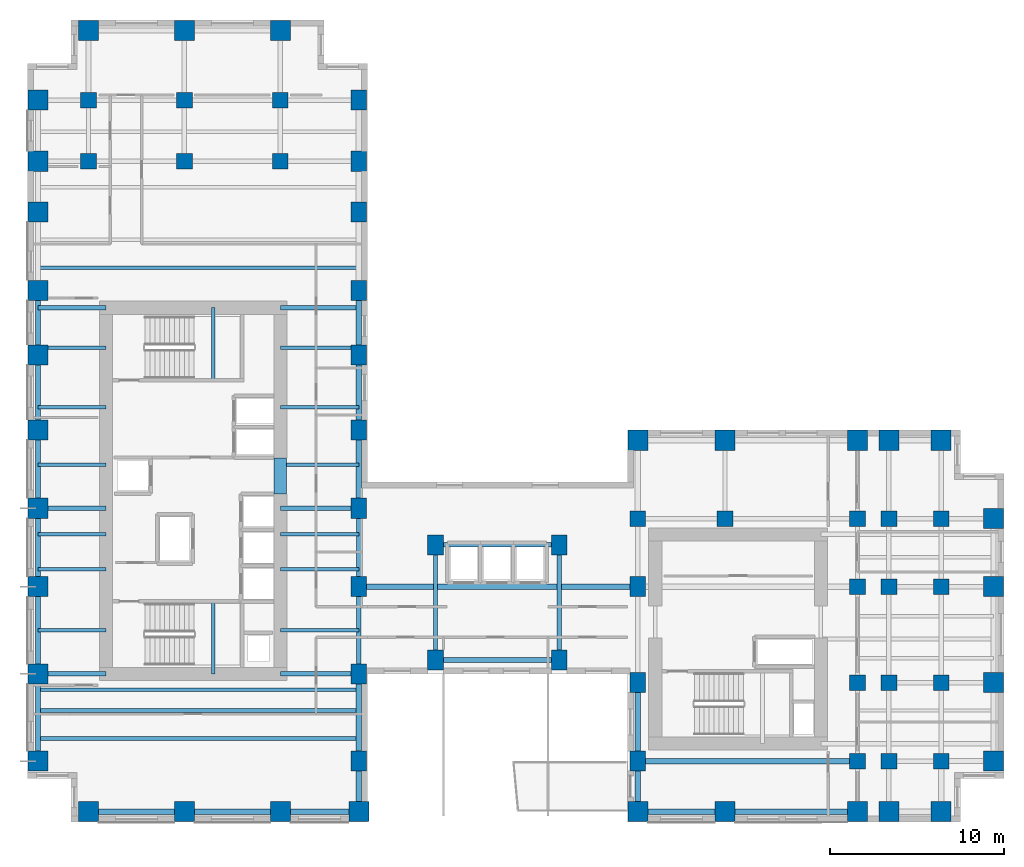
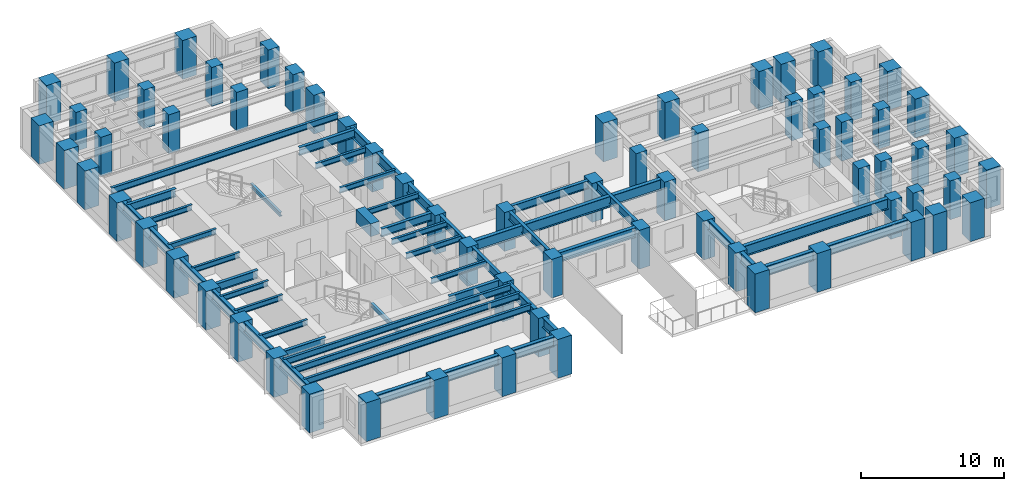
# One storey, part 1 of 12: 68 columns, 51 beams.
"""IFC4 building model written with IfcOpenShell, lengths in metres."""

from ifc_helpers import new_model, si_unit, direction, frame, origin, origin_2d, place, context, subcontext, project, spatial, rectangle, i_section, extrude, source, transform, mapped, material, material_profile, profile_set, type_object, element, save


model = new_model("IFC4")

# Units and contexts
model_context = context("Model", 3, precision=1e-05, world=origin(), true_north=direction((0.0, 1.0)))
body_context = subcontext(model_context, "Body", "Model", "MODEL_VIEW")
ifc_project = project(units=[si_unit("LENGTHUNIT", "METRE"), si_unit("AREAUNIT", "SQUARE_METRE"), si_unit("VOLUMEUNIT", "CUBIC_METRE"), si_unit("PLANEANGLEUNIT", "RADIAN"), si_unit("MASSUNIT", "GRAM", prefix="KILO")], contexts=[model_context])

# Site, building, storey
site_placement = place(None, origin())
site = spatial("IfcSite", under=ifc_project, at=site_placement, CompositionType="ELEMENT")
building_placement = place(site_placement, origin())
building = spatial("IfcBuilding", under=site, at=building_placement, Name="Kharzan Plaza Tower", CompositionType="ELEMENT")
storey_placement = place(building_placement, frame((0.0, 0.0, 135.0)))
storey = spatial("IfcBuildingStorey", under=building, at=storey_placement, Name="L36", CompositionType="ELEMENT", Elevation=135.0)

# Columns
ifc_material_1 = material(Name="Concrete C50/60", Category="concrete")
ifc_material_profile_1 = material_profile(ifc_material_1, rectangle(XDim=0.89990234375, YDim=0.89990234375, at=origin_2d()), Name="RC-IC900x900")
ifc_profile_set_1 = profile_set([ifc_material_profile_1], Name="Concrete C50/60")
column_type_1 = type_object("IfcColumnType", Name="COL-IC900", PredefinedType="COLUMN", material=ifc_profile_set_1)
shared_shape_1 = source(origin(), body_context, "Body", "SweptSolid", [
    extrude(rectangle(XDim=0.89990234375, YDim=0.89990234375, at=origin_2d()), origin(), (0.0, 0.0, 1.0), 3.320068359375),
])
for number, where, z_axis, x_axis, name in (
    (1, (47.60009765625, 13.5, 0.0), (0.0, 0.0, 1.0), (1.0, 0.0, 0.0), "L36 Structural Column TCBI-135"),
    (2, (47.60009765625, 3.5, 0.0), (0.0, 0.0, 1.0), (1.0, 0.0, 0.0), "L36 Structural Column TCBI-35"),
    (3, (47.60009765625, 8.0, 0.0), (0.0, 0.0, 1.0), (1.0, 0.0, 0.0), "L36 Structural Column TCBI-80"),
    (4, (35.0, 17.39990234375, 0.0), (0.0, 0.0, 1.0), (1.0, 0.0, 0.0), "L36 Structural Column TCBN-350-174"),
    (5, (40.0, 17.39990234375, 0.0), (0.0, 0.0, 1.0), (1.0, 0.0, 0.0), "L36 Structural Column TCBN-400-174"),
    (6, (47.60009765625, 17.39990234375, 0.0), (0.0, 0.0, 1.0), (1.0, 0.0, 0.0), "L36 Structural Column TCBN-476-174"),
    (7, (49.39990234375, 13.5, 0.0), (0.0, 0.0, 1.0), (1.0, 0.0, 0.0), "L36 Structural Column TCE-494-135"),
    (8, (49.39990234375, 17.39990234375, 0.0), (0.0, 0.0, 1.0), (1.0, 0.0, 0.0), "L36 Structural Column TCE-494-174"),
    (9, (49.39990234375, 3.5, 0.0), (0.0, 0.0, 1.0), (1.0, 0.0, 0.0), "L36 Structural Column TCE-494-35"),
    (10, (49.39990234375, 8.0, 0.0), (0.0, 0.0, 1.0), (1.0, 0.0, 0.0), "L36 Structural Column TCE-494-80"),
    (11, (52.39990234375, 13.5, 0.0), (0.0, 0.0, 1.0), (1.0, 0.0, 0.0), "L36 Structural Column TCE-524-135"),
    (12, (52.39990234375, 17.39990234375, 0.0), (0.0, 0.0, 1.0), (1.0, 0.0, 0.0), "L36 Structural Column TCE-524-174"),
    (13, (52.39990234375, 3.5, 0.0), (0.0, 0.0, 1.0), (1.0, 0.0, 0.0), "L36 Structural Column TCE-524-35"),
    (14, (52.39990234375, 8.0, 0.0), (0.0, 0.0, 1.0), (1.0, 0.0, 0.0), "L36 Structural Column TCE-524-80"),
    (15, (14.5, 37.89990234375, 0.0), (0.0, 0.0, 1.0), (1.0, 0.0, 0.0), "L36 Structural Column TCN-145-379"),
    (16, (14.5, 41.39990234375, 0.0), (0.0, 0.0, 1.0), (1.0, 0.0, 0.0), "L36 Structural Column TCN-145-414"),
    (17, (3.5, 37.89990234375, 0.0), (0.0, 0.0, 1.0), (1.0, 0.0, 0.0), "L36 Structural Column TCN-35-379"),
    (18, (3.5, 41.39990234375, 0.0), (0.0, 0.0, 1.0), (1.0, 0.0, 0.0), "L36 Structural Column TCN-35-414"),
    (19, (9.0, 37.89990234375, 0.0), (0.0, 0.0, 1.0), (1.0, 0.0, 0.0), "L36 Structural Column TCN-90-379"),
    (20, (9.0, 41.39990234375, 0.0), (0.0, 0.0, 1.0), (1.0, 0.0, 0.0), "L36 Structural Column TCN-90-414"),
):
    element("IfcColumn", number, at=place(storey_placement, frame(where, z_axis=z_axis, x_axis=x_axis)), inside=storey, type_object=column_type_1, Name=name, PredefinedType="COLUMN", context=body_context, shape_type="MappedRepresentation", body=[
        mapped(shared_shape_1, transform((0.0, 0.0, 0.0), x_axis=(1.0, 0.0, 0.0), y_axis=(0.0, 1.0, 0.0), z_axis=(0.0, 0.0, 1.0))),
    ])
ifc_material_2 = material(Name="Concrete C60/75", Category="concrete")
ifc_material_profile_2 = material_profile(ifc_material_2, rectangle(XDim=0.89990234375, YDim=1.14990234375, at=origin_2d()), Name="RC-SC1150x900")
ifc_profile_set_2 = profile_set([ifc_material_profile_2], Name="Concrete C60/75")
column_type_2 = type_object("IfcColumnType", Name="COL-SC1150", PredefinedType="COLUMN", material=ifc_profile_set_2)
shared_shape_2 = source(origin(), body_context, "Body", "SweptSolid", [
    extrude(rectangle(XDim=0.89990234375, YDim=1.14990234375, at=origin_2d()), origin(), (0.0, 0.0, 1.0), 3.320068359375),
])
for number, where, z_axis, x_axis, name in (
    (21, (19.0, 13.5, 0.0), (0.0, 0.0, 1.0), (1.0, 0.0, 0.0), "L36 Structural Column TCA-135"),
    (22, (19.0, 18.0, 0.0), (0.0, 0.0, 1.0), (1.0, 0.0, 0.0), "L36 Structural Column TCA-180"),
    (23, (19.0, 22.5, 0.0), (0.0, 0.0, 1.0), (1.0, 0.0, 0.0), "L36 Structural Column TCA-225"),
    (24, (19.0, 26.800048828125, 0.0), (0.0, 0.0, 1.0), (1.0, 0.0, 0.0), "L36 Structural Column TCA-268"),
    (25, (19.0, 30.5, 0.0), (0.0, 0.0, 1.0), (1.0, 0.0, 0.0), "L36 Structural Column TCA-305"),
    (26, (19.0, 3.5, 0.0), (0.0, 0.0, 1.0), (1.0, 0.0, 0.0), "L36 Structural Column TCA-35"),
    (27, (19.0, 35.0, 0.0), (0.0, 0.0, 1.0), (1.0, 0.0, 0.0), "L36 Structural Column TCA-350"),
    (28, (19.0, 37.89990234375, 0.0), (0.0, 0.0, 1.0), (1.0, 0.0, 0.0), "L36 Structural Column TCA-379"),
    (29, (19.0, 41.39990234375, 0.0), (0.0, 0.0, 1.0), (1.0, 0.0, 0.0), "L36 Structural Column TCA-414"),
    (30, (19.0, 8.5, 0.0), (0.0, 0.0, 1.0), (1.0, 0.0, 0.0), "L36 Structural Column TCA-85"),
    (31, (35.0, 13.5, 0.0), (0.0, 0.0, 1.0), (1.0, 0.0, 0.0), "L36 Structural Column TCBS-135"),
    (32, (35.0, 3.5, 0.0), (0.0, 0.0, 1.0), (1.0, 0.0, 0.0), "L36 Structural Column TCBS-35"),
    (33, (35.0, 8.0, 0.0), (0.0, 0.0, 1.0), (1.0, 0.0, 0.0), "L36 Structural Column TCBS-80"),
    (34, (23.39990234375, 15.89990234375, 0.0), (0.0, 0.0, 1.0), (1.0, 0.0, 0.0), "L36 Structural Column TCSP-234-159"),
    (35, (23.39990234375, 9.300048828125, 0.0), (0.0, 0.0, 1.0), (1.0, 0.0, 0.0), "L36 Structural Column TCSP-234-93"),
    (36, (30.5, 15.89990234375, 0.0), (0.0, 0.0, 1.0), (1.0, 0.0, 0.0), "L36 Structural Column TCSP-305-159"),
    (37, (30.5, 9.300048828125, 0.0), (0.0, 0.0, 1.0), (1.0, 0.0, 0.0), "L36 Structural Column TCSP-305-93"),
):
    element("IfcColumn", number, at=place(storey_placement, frame(where, z_axis=z_axis, x_axis=x_axis)), inside=storey, type_object=column_type_2, Name=name, PredefinedType="COLUMN", context=body_context, shape_type="MappedRepresentation", body=[
        mapped(shared_shape_2, transform((0.0, 0.0, 0.0), x_axis=(1.0, 0.0, 0.0), y_axis=(0.0, 1.0, 0.0), z_axis=(0.0, 0.0, 1.0))),
    ])
ifc_material_profile_3 = material_profile(ifc_material_2, rectangle(XDim=1.14990234375, YDim=1.14990234375, at=origin_2d()), Name="RC-TC1150x1150")
ifc_profile_set_3 = profile_set([ifc_material_profile_3], Name="Concrete C60/75")
column_type_3 = type_object("IfcColumnType", Name="COL-TC1150", PredefinedType="COLUMN", material=ifc_profile_set_3)
shared_shape_3 = source(origin(), body_context, "Body", "SweptSolid", [
    extrude(rectangle(XDim=1.14990234375, YDim=1.14990234375, at=origin_2d()), origin(), (0.0, 0.0, 1.0), 3.320068359375),
])
for number, where, z_axis, x_axis, name in (
    (38, (35.0, 21.89990234375, 0.0), (0.0, 0.0, 1.0), (1.0, 0.0, 0.0), "L36 Structural Column TCBN-350-219"),
    (39, (40.0, 21.89990234375, 0.0), (0.0, 0.0, 1.0), (1.0, 0.0, 0.0), "L36 Structural Column TCBN-400-219"),
    (40, (47.60009765625, 21.89990234375, 0.0), (0.0, 0.0, 1.0), (1.0, 0.0, 0.0), "L36 Structural Column TCBN-476-219"),
    (41, (49.39990234375, 21.89990234375, 0.0), (0.0, 0.0, 1.0), (1.0, 0.0, 0.0), "L36 Structural Column TCBN-494-219"),
    (42, (52.39990234375, 21.89990234375, 0.0), (0.0, 0.0, 1.0), (1.0, 0.0, 0.0), "L36 Structural Column TCBN-524-219"),
    (43, (55.39990234375, 13.5, 0.0), (0.0, 0.0, 1.0), (1.0, 0.0, 0.0), "L36 Structural Column TCE-554-135"),
    (44, (55.39990234375, 17.39990234375, 0.0), (0.0, 0.0, 1.0), (1.0, 0.0, 0.0), "L36 Structural Column TCE-554-174"),
    (45, (55.39990234375, 3.5, 0.0), (0.0, 0.0, 1.0), (1.0, 0.0, 0.0), "L36 Structural Column TCE-554-35"),
    (46, (55.39990234375, 8.0, 0.0), (0.0, 0.0, 1.0), (1.0, 0.0, 0.0), "L36 Structural Column TCE-554-80"),
    (47, (14.5, 45.39990234375, 0.0), (0.0, 0.0, 1.0), (1.0, 0.0, 0.0), "L36 Structural Column TCN-145-454"),
    (48, (3.5, 45.39990234375, 0.0), (0.0, 0.0, 1.0), (1.0, 0.0, 0.0), "L36 Structural Column TCN-35-454"),
    (49, (9.0, 45.39990234375, 0.0), (0.0, 0.0, 1.0), (1.0, 0.0, 0.0), "L36 Structural Column TCN-90-454"),
    (50, (14.5, 0.60009765625, 0.0), (0.0, 0.0, 1.0), (1.0, 0.0, 0.0), "L36 Structural Column TCS-145"),
    (51, (19.0, 0.60009765625, 0.0), (0.0, 0.0, 1.0), (1.0, 0.0, 0.0), "L36 Structural Column TCS-190"),
    (52, (3.5, 0.60009765625, 0.0), (0.0, 0.0, 1.0), (1.0, 0.0, 0.0), "L36 Structural Column TCS-35"),
    (53, (35.0, 0.60009765625, 0.0), (0.0, 0.0, 1.0), (1.0, 0.0, 0.0), "L36 Structural Column TCS-350"),
    (54, (40.0, 0.60009765625, 0.0), (0.0, 0.0, 1.0), (1.0, 0.0, 0.0), "L36 Structural Column TCS-400"),
    (55, (47.60009765625, 0.60009765625, 0.0), (0.0, 0.0, 1.0), (1.0, 0.0, 0.0), "L36 Structural Column TCS-476"),
    (56, (49.39990234375, 0.60009765625, 0.0), (0.0, 0.0, 1.0), (1.0, 0.0, 0.0), "L36 Structural Column TCS-494"),
    (57, (52.39990234375, 0.60009765625, 0.0), (0.0, 0.0, 1.0), (1.0, 0.0, 0.0), "L36 Structural Column TCS-524"),
    (58, (9.0, 0.60009765625, 0.0), (0.0, 0.0, 1.0), (1.0, 0.0, 0.0), "L36 Structural Column TCS-90"),
    (59, (0.60009765625, 13.5, 0.0), (0.0, 0.0, 1.0), (1.0, 0.0, 0.0), "L36 Structural Column TCW-135"),
    (60, (0.60009765625, 18.0, 0.0), (0.0, 0.0, 1.0), (1.0, 0.0, 0.0), "L36 Structural Column TCW-180"),
    (61, (0.60009765625, 22.5, 0.0), (0.0, 0.0, 1.0), (1.0, 0.0, 0.0), "L36 Structural Column TCW-225"),
    (62, (0.60009765625, 26.800048828125, 0.0), (0.0, 0.0, 1.0), (1.0, 0.0, 0.0), "L36 Structural Column TCW-268"),
    (63, (0.60009765625, 30.5, 0.0), (0.0, 0.0, 1.0), (1.0, 0.0, 0.0), "L36 Structural Column TCW-305"),
    (64, (0.60009765625, 3.5, 0.0), (0.0, 0.0, 1.0), (1.0, 0.0, 0.0), "L36 Structural Column TCW-35"),
    (65, (0.60009765625, 35.0, 0.0), (0.0, 0.0, 1.0), (1.0, 0.0, 0.0), "L36 Structural Column TCW-350"),
    (66, (0.60009765625, 37.89990234375, 0.0), (0.0, 0.0, 1.0), (1.0, 0.0, 0.0), "L36 Structural Column TCW-379"),
    (67, (0.60009765625, 41.39990234375, 0.0), (0.0, 0.0, 1.0), (1.0, 0.0, 0.0), "L36 Structural Column TCW-414"),
    (68, (0.60009765625, 8.5, 0.0), (0.0, 0.0, 1.0), (1.0, 0.0, 0.0), "L36 Structural Column TCW-85"),
):
    element("IfcColumn", number, at=place(storey_placement, frame(where, z_axis=z_axis, x_axis=x_axis)), inside=storey, type_object=column_type_3, Name=name, PredefinedType="COLUMN", context=body_context, shape_type="MappedRepresentation", body=[
        mapped(shared_shape_3, transform((0.0, 0.0, 0.0), x_axis=(1.0, 0.0, 0.0), y_axis=(0.0, 1.0, 0.0), z_axis=(0.0, 0.0, 1.0))),
    ])

# Beams
ifc_material_profile_4 = material_profile(ifc_material_2, rectangle(XDim=0.699951171875, YDim=1.10009765625, at=origin_2d()), Name="RC-CB1100x700")
ifc_profile_set_4 = profile_set([ifc_material_profile_4], Name="Concrete C60/75")
beam_type_1 = type_object("IfcBeamType", Name="BM-RCCB1100", PredefinedType="LINTEL", material=ifc_profile_set_4)
shared_shape_4 = source(origin(), body_context, "Body", "SweptSolid", [
    extrude(rectangle(XDim=0.699951171875, YDim=1.10009765625, at=origin_2d()), origin(), (0.0, 0.0, 1.0), 2.059814453125),
])
beam_1_placement = place(storey_placement, frame((14.5, 18.820068359375, 2.77001953125), z_axis=(0.0, 1.0, 0.0), x_axis=(-1.0, 0.0, 0.0)))
element("IfcBeam", 69, at=beam_1_placement, inside=storey, type_object=beam_type_1, Name="L36 CORE-A RC coupling beam CB1", PredefinedType="LINTEL", context=body_context, shape_type="MappedRepresentation", body=[
    mapped(shared_shape_4, transform((0.0, 0.0, 0.0), x_axis=(1.0, 0.0, 0.0), y_axis=(0.0, 1.0, 0.0), z_axis=(0.0, 0.0, 1.0))),
])
ifc_material_3 = material(Name="Steel S355", Category="steel")
ifc_material_profile_5 = material_profile(ifc_material_3, i_section(OverallWidth=0.205078125, OverallDepth=0.35400390625, WebThickness=0.009521484375, FlangeThickness=0.016845703125, at=origin_2d()), Name="W360x79")
ifc_profile_set_5 = profile_set([ifc_material_profile_5], Name="Steel S355")
beam_type_2 = type_object("IfcBeamType", Name="BM-LNT360", PredefinedType="LINTEL", material=ifc_profile_set_5)
shared_shape_5 = source(origin(), body_context, "Body", "SweptSolid", [
    extrude(i_section(OverallWidth=0.205078125, OverallDepth=0.35400390625, WebThickness=0.009521484375, FlangeThickness=0.016845703125, at=origin_2d()), origin(), (0.0, 0.0, 1.0), 4.155029296875),
])
for number, where, z_axis, x_axis, name in (
    (70, (10.64990234375, 8.5, 1.423095703125), (0.0, 1.0, 0.0), (-1.0, 0.0, 0.0), "L36 Stair ST-1 Half-Landing Beam"),
    (71, (10.64990234375, 25.344970703125, 1.423095703125), (0.0, 1.0, 0.0), (-1.0, 0.0, 0.0), "L36 Stair ST-2 Half-Landing Beam"),
):
    element("IfcBeam", number, at=place(storey_placement, frame(where, z_axis=z_axis, x_axis=x_axis)), inside=storey, type_object=beam_type_2, Name=name, PredefinedType="LINTEL", context=body_context, shape_type="MappedRepresentation", body=[
        mapped(shared_shape_5, transform((0.0, 0.0, 0.0), x_axis=(1.0, 0.0, 0.0), y_axis=(0.0, 1.0, 0.0), z_axis=(0.0, 0.0, 1.0))),
    ])
ifc_material_profile_6 = material_profile(ifc_material_3, i_section(OverallWidth=0.304931640625, OverallDepth=0.9189453125, WebThickness=0.017333984375, FlangeThickness=0.02783203125, at=origin_2d()), Name="W920x253")
ifc_profile_set_6 = profile_set([ifc_material_profile_6], Name="Steel S355")
beam_type_3 = type_object("IfcBeamType", Name="BM-FG920B", PredefinedType="BEAM", material=ifc_profile_set_6)
shared_shape_6 = source(origin(), body_context, "Body", "SweptSolid", [
    extrude(i_section(OverallWidth=0.304931640625, OverallDepth=0.9189453125, WebThickness=0.017333984375, FlangeThickness=0.02783203125, at=origin_2d()), origin(), (0.0, 0.0, 1.0), 12.60009765625),
])
beam_2_placement = place(storey_placement, frame((35.0, 3.5, 2.860595703125), z_axis=(1.0, 0.0, 0.0), x_axis=(0.0, 1.0, 0.0)))
element("IfcBeam", 72, at=beam_2_placement, inside=storey, type_object=beam_type_3, Name="L36 Primary Floor Girder", PredefinedType="BEAM", context=body_context, shape_type="MappedRepresentation", body=[
    mapped(shared_shape_6, transform((0.0, 0.0, 0.0), x_axis=(1.0, 0.0, 0.0), y_axis=(0.0, 1.0, 0.0), z_axis=(0.0, 0.0, 1.0))),
])
shared_shape_7 = source(origin(), body_context, "Body", "SweptSolid", [
    extrude(i_section(OverallWidth=0.304931640625, OverallDepth=0.9189453125, WebThickness=0.017333984375, FlangeThickness=0.02783203125, at=origin_2d()), origin(), (0.0, 0.0, 1.0), 16.0),
])
beam_3_placement = place(storey_placement, frame((19.0, 13.5, 2.860595703125), z_axis=(1.0, 0.0, 0.0), x_axis=(0.0, 1.0, 0.0)))
element("IfcBeam", 73, at=beam_3_placement, inside=storey, type_object=beam_type_3, Name="L36 Primary Floor Girder", PredefinedType="BEAM", context=body_context, shape_type="MappedRepresentation", body=[
    mapped(shared_shape_7, transform((0.0, 0.0, 0.0), x_axis=(1.0, 0.0, 0.0), y_axis=(0.0, 1.0, 0.0), z_axis=(0.0, 0.0, 1.0))),
])
ifc_material_profile_7 = material_profile(ifc_material_3, i_section(OverallWidth=0.2099609375, OverallDepth=0.537109375, WebThickness=0.010986328125, FlangeThickness=0.017333984375, at=origin_2d()), Name="W530x101")
ifc_profile_set_7 = profile_set([ifc_material_profile_7], Name="Steel S355")
beam_type_4 = type_object("IfcBeamType", Name="BM-JST530B", PredefinedType="JOIST", material=ifc_profile_set_7)
shared_shape_8 = source(origin(), body_context, "Body", "SweptSolid", [
    extrude(i_section(OverallWidth=0.2099609375, OverallDepth=0.537109375, WebThickness=0.010986328125, FlangeThickness=0.017333984375, at=origin_2d()), origin(), (0.0, 0.0, 1.0), 18.39990234375),
])
for number, where, z_axis, x_axis, name in (
    (74, (0.60009765625, 4.800048828125, 3.051513671875), (1.0, 0.0, 0.0), (0.0, 1.0, 0.0), "L36 Wing A Composite Joist 01"),
    (75, (0.60009765625, 6.39990234375, 3.051513671875), (1.0, 0.0, 0.0), (0.0, 1.0, 0.0), "L36 Wing A Composite Joist 02"),
    (76, (0.60009765625, 7.60009765625, 3.051513671875), (1.0, 0.0, 0.0), (0.0, 1.0, 0.0), "L36 Wing A Composite Joist 03"),
    (77, (0.60009765625, 31.800048828125, 3.051513671875), (1.0, 0.0, 0.0), (0.0, 1.0, 0.0), "L36 Wing A Composite Joist 04"),
):
    element("IfcBeam", number, at=place(storey_placement, frame(where, z_axis=z_axis, x_axis=x_axis)), inside=storey, type_object=beam_type_4, Name=name, PredefinedType="JOIST", context=body_context, shape_type="MappedRepresentation", body=[
        mapped(shared_shape_8, transform((0.0, 0.0, 0.0), x_axis=(1.0, 0.0, 0.0), y_axis=(0.0, 1.0, 0.0), z_axis=(0.0, 0.0, 1.0))),
    ])
ifc_material_profile_8 = material_profile(ifc_material_3, i_section(OverallWidth=0.194091796875, OverallDepth=0.468994140625, WebThickness=0.011474609375, FlangeThickness=0.0205078125, at=origin_2d()), Name="W460x106")
ifc_profile_set_8 = profile_set([ifc_material_profile_8], Name="Steel S355")
beam_type_5 = type_object("IfcBeamType", Name="BM-JST460", PredefinedType="JOIST", material=ifc_profile_set_8)
shared_shape_9 = source(origin(), body_context, "Body", "SweptSolid", [
    extrude(i_section(OverallWidth=0.194091796875, OverallDepth=0.468994140625, WebThickness=0.011474609375, FlangeThickness=0.0205078125, at=origin_2d()), origin(), (0.0, 0.0, 1.0), 4.5),
])
for number, where, z_axis, x_axis, name in (
    (78, (14.5, 11.0, 3.08544921875), (1.0, 0.0, 0.0), (0.0, 1.0, 0.0), "L36 Wing A East Infill Joist 1"),
    (79, (14.5, 14.5, 3.08544921875), (1.0, 0.0, 0.0), (0.0, 1.0, 0.0), "L36 Wing A East Infill Joist 2"),
    (80, (14.5, 16.5, 3.08544921875), (1.0, 0.0, 0.0), (0.0, 1.0, 0.0), "L36 Wing A East Infill Joist 3"),
    (81, (14.5, 20.5, 3.08544921875), (1.0, 0.0, 0.0), (0.0, 1.0, 0.0), "L36 Wing A East Infill Joist 4"),
    (82, (14.5, 23.800048828125, 3.08544921875), (1.0, 0.0, 0.0), (0.0, 1.0, 0.0), "L36 Wing A East Infill Joist 5"),
    (83, (14.5, 27.199951171875, 3.08544921875), (1.0, 0.0, 0.0), (0.0, 1.0, 0.0), "L36 Wing A East Infill Joist 6"),
):
    element("IfcBeam", number, at=place(storey_placement, frame(where, z_axis=z_axis, x_axis=x_axis)), inside=storey, type_object=beam_type_5, Name=name, PredefinedType="JOIST", context=body_context, shape_type="MappedRepresentation", body=[
        mapped(shared_shape_9, transform((0.0, 0.0, 0.0), x_axis=(1.0, 0.0, 0.0), y_axis=(0.0, 1.0, 0.0), z_axis=(0.0, 0.0, 1.0))),
    ])
shared_shape_10 = source(origin(), body_context, "Body", "SweptSolid", [
    extrude(i_section(OverallWidth=0.194091796875, OverallDepth=0.468994140625, WebThickness=0.011474609375, FlangeThickness=0.0205078125, at=origin_2d()), origin(), (0.0, 0.0, 1.0), 3.89990234375),
])
for number, where, z_axis, x_axis, name in (
    (84, (0.60009765625, 11.0, 3.08544921875), (1.0, 0.0, 0.0), (0.0, 1.0, 0.0), "L36 Wing A West Infill Joist 1"),
    (85, (0.60009765625, 14.5, 3.08544921875), (1.0, 0.0, 0.0), (0.0, 1.0, 0.0), "L36 Wing A West Infill Joist 2"),
    (86, (0.60009765625, 16.5, 3.08544921875), (1.0, 0.0, 0.0), (0.0, 1.0, 0.0), "L36 Wing A West Infill Joist 3"),
    (87, (0.60009765625, 20.5, 3.08544921875), (1.0, 0.0, 0.0), (0.0, 1.0, 0.0), "L36 Wing A West Infill Joist 4"),
    (88, (0.60009765625, 23.800048828125, 3.08544921875), (1.0, 0.0, 0.0), (0.0, 1.0, 0.0), "L36 Wing A West Infill Joist 5"),
    (89, (0.60009765625, 27.199951171875, 3.08544921875), (1.0, 0.0, 0.0), (0.0, 1.0, 0.0), "L36 Wing A West Infill Joist 6"),
):
    element("IfcBeam", number, at=place(storey_placement, frame(where, z_axis=z_axis, x_axis=x_axis)), inside=storey, type_object=beam_type_5, Name=name, PredefinedType="JOIST", context=body_context, shape_type="MappedRepresentation", body=[
        mapped(shared_shape_10, transform((0.0, 0.0, 0.0), x_axis=(1.0, 0.0, 0.0), y_axis=(0.0, 1.0, 0.0), z_axis=(0.0, 0.0, 1.0))),
    ])
ifc_material_profile_9 = material_profile(ifc_material_3, i_section(OverallWidth=0.25390625, OverallDepth=0.68798828125, WebThickness=0.01318359375, FlangeThickness=0.02099609375, at=origin_2d()), Name="W690x152")
ifc_profile_set_9 = profile_set([ifc_material_profile_9], Name="Steel S355")
beam_type_6 = type_object("IfcBeamType", Name="BM-FG690B", PredefinedType="BEAM", material=ifc_profile_set_9)
shared_shape_11 = source(origin(), body_context, "Body", "SweptSolid", [
    extrude(i_section(OverallWidth=0.25390625, OverallDepth=0.68798828125, WebThickness=0.01318359375, FlangeThickness=0.02099609375, at=origin_2d()), origin(), (0.0, 0.0, 1.0), 4.5),
])
for number, where, z_axis, x_axis, name in (
    (90, (14.5, 8.5, 2.97607421875), (1.0, 0.0, 0.0), (0.0, 1.0, 0.0), "L36 Core-A East Floor Girder 1"),
    (91, (14.5, 18.0, 2.97607421875), (1.0, 0.0, 0.0), (0.0, 1.0, 0.0), "L36 Core-A East Floor Girder 2"),
    (92, (14.5, 29.5, 2.97607421875), (1.0, 0.0, 0.0), (0.0, 1.0, 0.0), "L36 Core-A East Floor Girder 3"),
    (93, (19.0, 13.5, 2.97607421875), (0.0, 1.0, 0.0), (-1.0, 0.0, 0.0), "L36 Interior Frame Girder"),
):
    element("IfcBeam", number, at=place(storey_placement, frame(where, z_axis=z_axis, x_axis=x_axis)), inside=storey, type_object=beam_type_6, Name=name, PredefinedType="BEAM", context=body_context, shape_type="MappedRepresentation", body=[
        mapped(shared_shape_11, transform((0.0, 0.0, 0.0), x_axis=(1.0, 0.0, 0.0), y_axis=(0.0, 1.0, 0.0), z_axis=(0.0, 0.0, 1.0))),
    ])
shared_shape_12 = source(origin(), body_context, "Body", "SweptSolid", [
    extrude(i_section(OverallWidth=0.25390625, OverallDepth=0.68798828125, WebThickness=0.01318359375, FlangeThickness=0.02099609375, at=origin_2d()), origin(), (0.0, 0.0, 1.0), 3.89990234375),
])
for number, where, z_axis, x_axis, name in (
    (94, (0.60009765625, 8.5, 2.97607421875), (1.0, 0.0, 0.0), (0.0, 1.0, 0.0), "L36 Core-A West Floor Girder 1"),
    (95, (0.60009765625, 18.0, 2.97607421875), (1.0, 0.0, 0.0), (0.0, 1.0, 0.0), "L36 Core-A West Floor Girder 2"),
    (96, (0.60009765625, 29.5, 2.97607421875), (1.0, 0.0, 0.0), (0.0, 1.0, 0.0), "L36 Core-A West Floor Girder 3"),
):
    element("IfcBeam", number, at=place(storey_placement, frame(where, z_axis=z_axis, x_axis=x_axis)), inside=storey, type_object=beam_type_6, Name=name, PredefinedType="BEAM", context=body_context, shape_type="MappedRepresentation", body=[
        mapped(shared_shape_12, transform((0.0, 0.0, 0.0), x_axis=(1.0, 0.0, 0.0), y_axis=(0.0, 1.0, 0.0), z_axis=(0.0, 0.0, 1.0))),
    ])
shared_shape_13 = source(origin(), body_context, "Body", "SweptSolid", [
    extrude(i_section(OverallWidth=0.25390625, OverallDepth=0.68798828125, WebThickness=0.01318359375, FlangeThickness=0.02099609375, at=origin_2d()), origin(), (0.0, 0.0, 1.0), 5.0),
])
beam_4_placement = place(storey_placement, frame((19.0, 8.5, 2.97607421875), z_axis=(0.0, 1.0, 0.0), x_axis=(-1.0, 0.0, 0.0)))
element("IfcBeam", 97, at=beam_4_placement, inside=storey, type_object=beam_type_6, Name="L36 Interior Frame Girder", PredefinedType="BEAM", context=body_context, shape_type="MappedRepresentation", body=[
    mapped(shared_shape_13, transform((0.0, 0.0, 0.0), x_axis=(1.0, 0.0, 0.0), y_axis=(0.0, 1.0, 0.0), z_axis=(0.0, 0.0, 1.0))),
])
shared_shape_14 = source(origin(), body_context, "Body", "SweptSolid", [
    extrude(i_section(OverallWidth=0.25390625, OverallDepth=0.68798828125, WebThickness=0.01318359375, FlangeThickness=0.02099609375, at=origin_2d()), origin(), (0.0, 0.0, 1.0), 6.599853515625),
])
for number, where, z_axis, x_axis, name in (
    (98, (23.39990234375, 9.300048828125, 2.97607421875), (0.0, 1.0, 0.0), (-1.0, 0.0, 0.0), "L36 Interior Frame Girder"),
    (99, (30.5, 9.300048828125, 2.97607421875), (0.0, 1.0, 0.0), (-1.0, 0.0, 0.0), "L36 Interior Frame Girder"),
):
    element("IfcBeam", number, at=place(storey_placement, frame(where, z_axis=z_axis, x_axis=x_axis)), inside=storey, type_object=beam_type_6, Name=name, PredefinedType="BEAM", context=body_context, shape_type="MappedRepresentation", body=[
        mapped(shared_shape_14, transform((0.0, 0.0, 0.0), x_axis=(1.0, 0.0, 0.0), y_axis=(0.0, 1.0, 0.0), z_axis=(0.0, 0.0, 1.0))),
    ])
shared_shape_15 = source(origin(), body_context, "Body", "SweptSolid", [
    extrude(i_section(OverallWidth=0.25390625, OverallDepth=0.68798828125, WebThickness=0.01318359375, FlangeThickness=0.02099609375, at=origin_2d()), origin(), (0.0, 0.0, 1.0), 7.10009765625),
])
beam_5_placement = place(storey_placement, frame((23.39990234375, 15.89990234375, 2.97607421875), z_axis=(1.0, 0.0, 0.0), x_axis=(0.0, 1.0, 0.0)))
element("IfcBeam", 100, at=beam_5_placement, inside=storey, type_object=beam_type_6, Name="L36 Primary Floor Girder", PredefinedType="BEAM", context=body_context, shape_type="MappedRepresentation", body=[
    mapped(shared_shape_15, transform((0.0, 0.0, 0.0), x_axis=(1.0, 0.0, 0.0), y_axis=(0.0, 1.0, 0.0), z_axis=(0.0, 0.0, 1.0))),
])
ifc_material_profile_10 = material_profile(ifc_material_3, i_section(OverallWidth=0.299072265625, OverallDepth=0.845947265625, WebThickness=0.015380859375, FlangeThickness=0.0244140625, at=origin_2d()), Name="W840x210")
ifc_profile_set_10 = profile_set([ifc_material_profile_10], Name="Steel S355")
beam_type_7 = type_object("IfcBeamType", Name="BM-SP840B", PredefinedType="SPANDREL", material=ifc_profile_set_10)
shared_shape_16 = source(origin(), body_context, "Body", "SweptSolid", [
    extrude(i_section(OverallWidth=0.299072265625, OverallDepth=0.845947265625, WebThickness=0.015380859375, FlangeThickness=0.0244140625, at=origin_2d()), origin(), (0.0, 0.0, 1.0), 5.0),
])
for number, where, z_axis, x_axis, name in (
    (101, (0.60009765625, 3.5, 2.89697265625), (0.0, 1.0, 0.0), (-1.0, 0.0, 0.0), "L36 Perimeter Tube Spandrel"),
    (102, (0.60009765625, 8.5, 2.89697265625), (0.0, 1.0, 0.0), (-1.0, 0.0, 0.0), "L36 Perimeter Tube Spandrel"),
    (103, (19.0, 3.5, 2.89697265625), (0.0, 1.0, 0.0), (-1.0, 0.0, 0.0), "L36 Perimeter Tube Spandrel"),
    (104, (35.0, 0.60009765625, 2.89697265625), (1.0, 0.0, 0.0), (0.0, 1.0, 0.0), "L36 Perimeter Tube Spandrel"),
):
    element("IfcBeam", number, at=place(storey_placement, frame(where, z_axis=z_axis, x_axis=x_axis)), inside=storey, type_object=beam_type_7, Name=name, PredefinedType="SPANDREL", context=body_context, shape_type="MappedRepresentation", body=[
        mapped(shared_shape_16, transform((0.0, 0.0, 0.0), x_axis=(1.0, 0.0, 0.0), y_axis=(0.0, 1.0, 0.0), z_axis=(0.0, 0.0, 1.0))),
    ])
shared_shape_17 = source(origin(), body_context, "Body", "SweptSolid", [
    extrude(i_section(OverallWidth=0.299072265625, OverallDepth=0.845947265625, WebThickness=0.015380859375, FlangeThickness=0.0244140625, at=origin_2d()), origin(), (0.0, 0.0, 1.0), 4.5),
])
for number, where, z_axis, x_axis, name in (
    (105, (0.60009765625, 13.5, 2.89697265625), (0.0, 1.0, 0.0), (-1.0, 0.0, 0.0), "L36 Perimeter Tube Spandrel"),
    (106, (0.60009765625, 18.0, 2.89697265625), (0.0, 1.0, 0.0), (-1.0, 0.0, 0.0), "L36 Perimeter Tube Spandrel"),
    (107, (19.0, 18.0, 2.89697265625), (0.0, 1.0, 0.0), (-1.0, 0.0, 0.0), "L36 Perimeter Tube Spandrel"),
    (108, (35.0, 3.5, 2.89697265625), (0.0, 1.0, 0.0), (-1.0, 0.0, 0.0), "L36 Perimeter Tube Spandrel"),
    (109, (14.5, 0.60009765625, 2.89697265625), (1.0, 0.0, 0.0), (0.0, 1.0, 0.0), "L36 Perimeter Tube Spandrel"),
):
    element("IfcBeam", number, at=place(storey_placement, frame(where, z_axis=z_axis, x_axis=x_axis)), inside=storey, type_object=beam_type_7, Name=name, PredefinedType="SPANDREL", context=body_context, shape_type="MappedRepresentation", body=[
        mapped(shared_shape_17, transform((0.0, 0.0, 0.0), x_axis=(1.0, 0.0, 0.0), y_axis=(0.0, 1.0, 0.0), z_axis=(0.0, 0.0, 1.0))),
    ])
shared_shape_18 = source(origin(), body_context, "Body", "SweptSolid", [
    extrude(i_section(OverallWidth=0.299072265625, OverallDepth=0.845947265625, WebThickness=0.015380859375, FlangeThickness=0.0244140625, at=origin_2d()), origin(), (0.0, 0.0, 1.0), 4.300048828125),
])
for number, where, z_axis, x_axis, name in (
    (110, (0.60009765625, 22.5, 2.89697265625), (0.0, 1.0, 0.0), (-1.0, 0.0, 0.0), "L36 Perimeter Tube Spandrel"),
    (111, (19.0, 22.5, 2.89697265625), (0.0, 1.0, 0.0), (-1.0, 0.0, 0.0), "L36 Perimeter Tube Spandrel"),
):
    element("IfcBeam", number, at=place(storey_placement, frame(where, z_axis=z_axis, x_axis=x_axis)), inside=storey, type_object=beam_type_7, Name=name, PredefinedType="SPANDREL", context=body_context, shape_type="MappedRepresentation", body=[
        mapped(shared_shape_18, transform((0.0, 0.0, 0.0), x_axis=(1.0, 0.0, 0.0), y_axis=(0.0, 1.0, 0.0), z_axis=(0.0, 0.0, 1.0))),
    ])
shared_shape_19 = source(origin(), body_context, "Body", "SweptSolid", [
    extrude(i_section(OverallWidth=0.299072265625, OverallDepth=0.845947265625, WebThickness=0.015380859375, FlangeThickness=0.0244140625, at=origin_2d()), origin(), (0.0, 0.0, 1.0), 3.699951171875),
])
for number, where, z_axis, x_axis, name in (
    (112, (0.60009765625, 26.800048828125, 2.89697265625), (0.0, 1.0, 0.0), (-1.0, 0.0, 0.0), "L36 Perimeter Tube Spandrel"),
    (113, (19.0, 26.800048828125, 2.89697265625), (0.0, 1.0, 0.0), (-1.0, 0.0, 0.0), "L36 Perimeter Tube Spandrel"),
):
    element("IfcBeam", number, at=place(storey_placement, frame(where, z_axis=z_axis, x_axis=x_axis)), inside=storey, type_object=beam_type_7, Name=name, PredefinedType="SPANDREL", context=body_context, shape_type="MappedRepresentation", body=[
        mapped(shared_shape_19, transform((0.0, 0.0, 0.0), x_axis=(1.0, 0.0, 0.0), y_axis=(0.0, 1.0, 0.0), z_axis=(0.0, 0.0, 1.0))),
    ])
shared_shape_20 = source(origin(), body_context, "Body", "SweptSolid", [
    extrude(i_section(OverallWidth=0.299072265625, OverallDepth=0.845947265625, WebThickness=0.015380859375, FlangeThickness=0.0244140625, at=origin_2d()), origin(), (0.0, 0.0, 1.0), 2.89990234375),
])
for number, where, z_axis, x_axis, name in (
    (114, (19.0, 0.60009765625, 2.89697265625), (0.0, 1.0, 0.0), (-1.0, 0.0, 0.0), "L36 Perimeter Tube Spandrel"),
    (115, (35.0, 0.60009765625, 2.89697265625), (0.0, 1.0, 0.0), (-1.0, 0.0, 0.0), "L36 Perimeter Tube Spandrel"),
):
    element("IfcBeam", number, at=place(storey_placement, frame(where, z_axis=z_axis, x_axis=x_axis)), inside=storey, type_object=beam_type_7, Name=name, PredefinedType="SPANDREL", context=body_context, shape_type="MappedRepresentation", body=[
        mapped(shared_shape_20, transform((0.0, 0.0, 0.0), x_axis=(1.0, 0.0, 0.0), y_axis=(0.0, 1.0, 0.0), z_axis=(0.0, 0.0, 1.0))),
    ])
shared_shape_21 = source(origin(), body_context, "Body", "SweptSolid", [
    extrude(i_section(OverallWidth=0.299072265625, OverallDepth=0.845947265625, WebThickness=0.015380859375, FlangeThickness=0.0244140625, at=origin_2d()), origin(), (0.0, 0.0, 1.0), 5.5),
])
for number, where, z_axis, x_axis, name in (
    (116, (3.5, 0.60009765625, 2.89697265625), (1.0, 0.0, 0.0), (0.0, 1.0, 0.0), "L36 Perimeter Tube Spandrel"),
    (117, (9.0, 0.60009765625, 2.89697265625), (1.0, 0.0, 0.0), (0.0, 1.0, 0.0), "L36 Perimeter Tube Spandrel"),
):
    element("IfcBeam", number, at=place(storey_placement, frame(where, z_axis=z_axis, x_axis=x_axis)), inside=storey, type_object=beam_type_7, Name=name, PredefinedType="SPANDREL", context=body_context, shape_type="MappedRepresentation", body=[
        mapped(shared_shape_21, transform((0.0, 0.0, 0.0), x_axis=(1.0, 0.0, 0.0), y_axis=(0.0, 1.0, 0.0), z_axis=(0.0, 0.0, 1.0))),
    ])
shared_shape_22 = source(origin(), body_context, "Body", "SweptSolid", [
    extrude(i_section(OverallWidth=0.299072265625, OverallDepth=0.845947265625, WebThickness=0.015380859375, FlangeThickness=0.0244140625, at=origin_2d()), origin(), (0.0, 0.0, 1.0), 7.60009765625),
])
beam_6_placement = place(storey_placement, frame((40.0, 0.60009765625, 2.89697265625), z_axis=(1.0, 0.0, 0.0), x_axis=(0.0, 1.0, 0.0)))
element("IfcBeam", 118, at=beam_6_placement, inside=storey, type_object=beam_type_7, Name="L36 Perimeter Tube Spandrel", PredefinedType="SPANDREL", context=body_context, shape_type="MappedRepresentation", body=[
    mapped(shared_shape_22, transform((0.0, 0.0, 0.0), x_axis=(1.0, 0.0, 0.0), y_axis=(0.0, 1.0, 0.0), z_axis=(0.0, 0.0, 1.0))),
])
shared_shape_23 = source(origin(), body_context, "Body", "SweptSolid", [
    extrude(i_section(OverallWidth=0.299072265625, OverallDepth=0.845947265625, WebThickness=0.015380859375, FlangeThickness=0.0244140625, at=origin_2d()), origin(), (0.0, 0.0, 1.0), 7.10009765625),
])
beam_7_placement = place(storey_placement, frame((23.39990234375, 9.300048828125, 2.89697265625), z_axis=(1.0, 0.0, 0.0), x_axis=(0.0, 1.0, 0.0)))
element("IfcBeam", 119, at=beam_7_placement, inside=storey, type_object=beam_type_7, Name="L36 Perimeter Tube Spandrel", PredefinedType="SPANDREL", context=body_context, shape_type="MappedRepresentation", body=[
    mapped(shared_shape_23, transform((0.0, 0.0, 0.0), x_axis=(1.0, 0.0, 0.0), y_axis=(0.0, 1.0, 0.0), z_axis=(0.0, 0.0, 1.0))),
])

save(model, "model.ifc")
